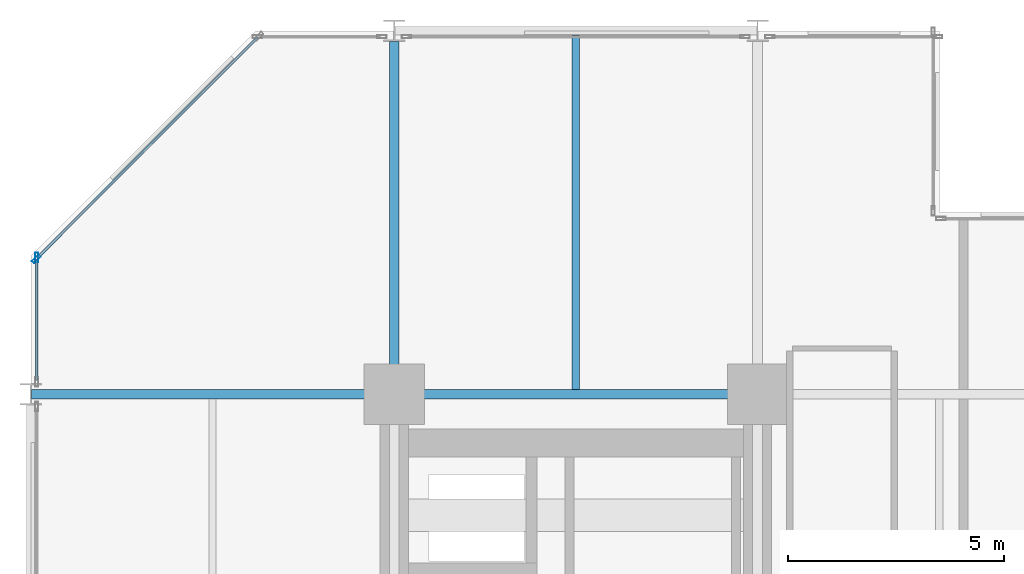
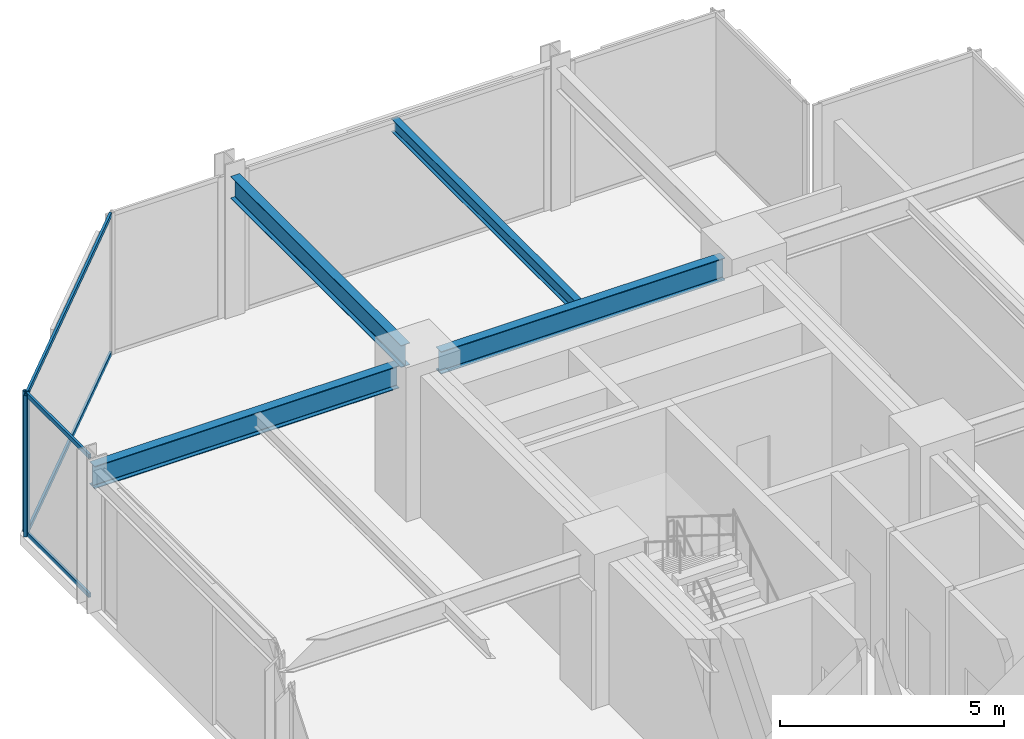
# One storey, part 17 of 26: 6 members, 4 beams, 2 elements without a shape of their own.
"""IFC4 building model written with IfcOpenShell, lengths in metres."""

from ifc_helpers import new_model, si_unit, direction, frame, origin, origin_2d, place, context, subcontext, project, spatial, hollow_rectangle, i_section, extrude, material, layer, layer_set, material_profile, profile_set, type_object, element, aggregate, save


model = new_model("IFC4")

# Units and contexts
model_context = context("Model", 3, precision=1e-05, world=origin(), true_north=direction((0.0, 1.0)))
body_context = subcontext(model_context, "Body", "Model", "MODEL_VIEW")
ifc_project = project(units=[si_unit("LENGTHUNIT", "METRE"), si_unit("AREAUNIT", "SQUARE_METRE"), si_unit("VOLUMEUNIT", "CUBIC_METRE"), si_unit("PLANEANGLEUNIT", "RADIAN"), si_unit("MASSUNIT", "GRAM", prefix="KILO")], contexts=[model_context])

# Site, building, storey
site_placement = place(None, origin())
site = spatial("IfcSite", under=ifc_project, at=site_placement, CompositionType="ELEMENT")
building_placement = place(site_placement, origin())
building = spatial("IfcBuilding", under=site, at=building_placement, Name="Nerrivon Quay Data Exchange", CompositionType="ELEMENT")
storey_placement = place(building_placement, frame((0.0, 0.0, 75.199951171875)))
storey = spatial("IfcBuildingStorey", under=building, at=storey_placement, Name="L17", CompositionType="ELEMENT", Elevation=75.199951171875)

# Beams
ifc_material_1 = material(Name="Steel Grade 350", Category="steel")
ifc_material_profile_1 = material_profile(ifc_material_1, i_section(OverallWidth=0.22900390625, OverallDepth=0.612060546875, WebThickness=0.011962890625, FlangeThickness=0.01953125, FilletRadius=0.013916015625, at=origin_2d()), Name="610UB125")
ifc_profile_set_1 = profile_set([ifc_material_profile_1], Name="Steel Grade 350")
beam_type_1 = type_object("IfcBeamType", Name="BM-G1-610UB125", PredefinedType="BEAM", material=ifc_profile_set_1)
beam_1_placement = place(storey_placement, frame((0.013916015625, 42.0, 3.5439453125), z_axis=(1.0, 0.0, 0.0), x_axis=(0.0, 1.0, 0.0)))
element("IfcBeam", 1, at=beam_1_placement, inside=storey, type_object=beam_type_1, Name="L17 EW Girder Y=42.0 (0.0..8.4)", PredefinedType="BEAM", context=body_context, shape_type="SweptSolid", body=[
    extrude(i_section(OverallWidth=0.22900390625, OverallDepth=0.612060546875, WebThickness=0.011962890625, FlangeThickness=0.01953125, FilletRadius=0.013916015625, at=origin_2d()), origin(), (0.0, 0.0, 1.0), 7.84619140625),
])
beam_2_placement = place(storey_placement, frame((8.93994140625, 42.0, 3.5439453125), z_axis=(1.0, 0.0, 0.0), x_axis=(0.0, 1.0, 0.0)))
element("IfcBeam", 2, at=beam_2_placement, inside=storey, type_object=beam_type_1, Name="L17 EW Girder Y=42.0 (8.4..16.8)", PredefinedType="BEAM", context=body_context, shape_type="SweptSolid", body=[
    extrude(i_section(OverallWidth=0.22900390625, OverallDepth=0.612060546875, WebThickness=0.011962890625, FlangeThickness=0.01953125, FilletRadius=0.013916015625, at=origin_2d()), origin(), (0.0, 0.0, 1.0), 7.320068359375),
])
ifc_material_profile_2 = material_profile(ifc_material_1, i_section(OverallWidth=0.22802734375, OverallDepth=0.60205078125, WebThickness=0.010498046875, FlangeThickness=0.014892578125, FilletRadius=0.013916015625, at=origin_2d()), Name="610UB101")
ifc_profile_set_2 = profile_set([ifc_material_profile_2], Name="Steel Grade 350")
beam_type_2 = type_object("IfcBeamType", Name="BM-G2-610UB101", PredefinedType="BEAM", material=ifc_profile_set_2)
beam_3_placement = place(storey_placement, frame((8.39990234375, 42.5400390625, 3.549072265625), z_axis=(0.0, 1.0, 0.0), x_axis=(-1.0, 0.0, 0.0)))
element("IfcBeam", 3, at=beam_3_placement, inside=storey, type_object=beam_type_2, Name="L17 NS Girder X=8.4 (42.0..50.4)", PredefinedType="BEAM", context=body_context, shape_type="SweptSolid", body=[
    extrude(i_section(OverallWidth=0.22802734375, OverallDepth=0.60205078125, WebThickness=0.010498046875, FlangeThickness=0.014892578125, FilletRadius=0.013916015625, at=origin_2d()), origin(), (0.0, 0.0, 1.0), 7.60986328125),
])
ifc_material_profile_3 = material_profile(ifc_material_1, i_section(OverallWidth=0.172119140625, OverallDepth=0.35888671875, WebThickness=0.008056640625, FlangeThickness=0.012939453125, FilletRadius=0.011474609375, at=origin_2d()), Name="360UB56.7")
ifc_profile_set_3 = profile_set([ifc_material_profile_3], Name="Steel Grade 350")
beam_type_3 = type_object("IfcBeamType", Name="BM-J3-360UB57", PredefinedType="JOIST", material=ifc_profile_set_3)
beam_4_placement = place(storey_placement, frame((12.60009765625, 42.114501953125, 3.670654296875), z_axis=(0.0, 1.0, 0.0), x_axis=(-1.0, 0.0, 0.0)))
element("IfcBeam", 4, at=beam_4_placement, inside=storey, type_object=beam_type_3, Name="L17 Secondary Joist X=12.6 (42.0..50.4)", PredefinedType="JOIST", context=body_context, shape_type="SweptSolid", body=[
    extrude(i_section(OverallWidth=0.172119140625, OverallDepth=0.35888671875, WebThickness=0.008056640625, FlangeThickness=0.012939453125, FilletRadius=0.011474609375, at=origin_2d()), origin(), (0.0, 0.0, 1.0), 8.1904296875),
])

# Curtain wall, member
ifc_material_2 = material(Name="Anodised aluminium 6063-T6", Category="aluminium")
ifc_layer = layer(ifc_material_2, 0.219970703125)
ifc_layer_set = layer_set([ifc_layer], Name="Anodised aluminium 6063-T6")
curtain_wall_type = type_object("IfcCurtainWallType", Name="CW-SYS-01", PredefinedType="NOTDEFINED", material=ifc_layer_set)
curtain_wall_1_placement = place(storey_placement, origin())
curtain_wall_1 = element("IfcCurtainWall", 5, at=curtain_wall_1_placement, inside=storey, type_object=curtain_wall_type, Name="L17 Unitised Curtain Wall 22", PredefinedType="NOTDEFINED")
ifc_material_profile_4 = material_profile(ifc_material_2, hollow_rectangle(XDim=0.074951171875, YDim=0.219970703125, WallThickness=0.00390625, at=origin_2d()), Name="ALU-MULL-220x75")
ifc_profile_set_4 = profile_set([ifc_material_profile_4], Name="Anodised aluminium 6063-T6")
member_type_1 = type_object("IfcMemberType", Name="CWM-220x75", PredefinedType="MULLION", material=ifc_profile_set_4)
member_1_placement = place(storey_placement, frame((0.139892578125, 45.16259765625, 0.0), z_axis=(0.0, 0.0, 1.0), x_axis=(-1.0, 0.0, 0.0)))
member_1 = element("IfcMember", 6, at=member_1_placement, type_object=member_type_1, Name="CW01 mullion 2", PredefinedType="MULLION", context=body_context, shape_type="SweptSolid", body=[
    extrude(hollow_rectangle(XDim=0.074951171875, YDim=0.219970703125, WallThickness=0.00390625, at=origin_2d()), origin(), (0.0, 0.0, 1.0), 3.85009765625),
])

curtain_wall_2_placement = place(storey_placement, origin())
curtain_wall_2 = element("IfcCurtainWall", 7, at=curtain_wall_2_placement, inside=storey, type_object=curtain_wall_type, Name="L17 Unitised Curtain Wall 23", PredefinedType="NOTDEFINED")
member_2_placement = place(storey_placement, frame((0.12548828125, 45.12744140625, 0.0), z_axis=(0.0, 0.0, 1.0), x_axis=(-0.707106781187, 0.707106781187, 0.0)))
member_2 = element("IfcMember", 8, at=member_2_placement, type_object=member_type_1, Name="CW01 mullion 1", PredefinedType="MULLION", context=body_context, shape_type="SweptSolid", body=[
    extrude(hollow_rectangle(XDim=0.074951171875, YDim=0.219970703125, WallThickness=0.00390625, at=origin_2d()), origin(), (0.0, 0.0, 1.0), 3.85009765625),
])

# Member
ifc_material_profile_5 = material_profile(ifc_material_2, hollow_rectangle(XDim=0.06005859375, YDim=0.1201171875, WallThickness=0.003173828125, at=origin_2d()), Name="ALU-TRAN-120x60")
ifc_profile_set_5 = profile_set([ifc_material_profile_5], Name="Anodised aluminium 6063-T6")
member_type_2 = type_object("IfcMemberType", Name="CWT-120x60", PredefinedType="USERDEFINED", material=ifc_profile_set_5)
member_3_placement = place(storey_placement, frame((0.139892578125, 42.324951171875, 0.032470703125), z_axis=(0.0, 1.0, 0.0), x_axis=(-1.0, 0.0, 0.0)))
member_3 = element("IfcMember", 9, at=member_3_placement, type_object=member_type_2, Name="CW01 transom 1.1", ObjectType="TRANSOM", PredefinedType="USERDEFINED", context=body_context, shape_type="SweptSolid", body=[
    extrude(hollow_rectangle(XDim=0.06005859375, YDim=0.1201171875, WallThickness=0.003173828125, at=origin_2d()), origin(), (0.0, 0.0, 1.0), 2.800048828125),
])

member_4_placement = place(storey_placement, frame((0.139892578125, 42.324951171875, 3.817626953125), z_axis=(0.0, 1.0, 0.0), x_axis=(-1.0, 0.0, 0.0)))
member_4 = element("IfcMember", 10, at=member_4_placement, type_object=member_type_2, Name="CW01 transom 1.2", ObjectType="TRANSOM", PredefinedType="USERDEFINED", context=body_context, shape_type="SweptSolid", body=[
    extrude(hollow_rectangle(XDim=0.06005859375, YDim=0.1201171875, WallThickness=0.003173828125, at=origin_2d()), origin(), (0.0, 0.0, 1.0), 2.800048828125),
])

aggregate(curtain_wall_1, [member_1, member_3, member_4])

member_5_placement = place(storey_placement, frame((0.152099609375, 45.154052734375, 0.032470703125), z_axis=(0.707089835771, 0.707123726196, 0.0), x_axis=(-0.707123726196, 0.707089835771, 0.0)))
member_5 = element("IfcMember", 11, at=member_5_placement, type_object=member_type_2, Name="CW01 transom 1.1", ObjectType="TRANSOM", PredefinedType="USERDEFINED", context=body_context, shape_type="SweptSolid", body=[
    extrude(hollow_rectangle(XDim=0.06005859375, YDim=0.1201171875, WallThickness=0.003173828125, at=origin_2d()), origin(), (0.0, 0.0, 1.0), 7.203857421875),
])

member_6_placement = place(storey_placement, frame((0.152099609375, 45.154052734375, 3.817626953125), z_axis=(0.707089835771, 0.707123726196, 0.0), x_axis=(-0.707123726196, 0.707089835771, 0.0)))
member_6 = element("IfcMember", 12, at=member_6_placement, type_object=member_type_2, Name="CW01 transom 1.2", ObjectType="TRANSOM", PredefinedType="USERDEFINED", context=body_context, shape_type="SweptSolid", body=[
    extrude(hollow_rectangle(XDim=0.06005859375, YDim=0.1201171875, WallThickness=0.003173828125, at=origin_2d()), origin(), (0.0, 0.0, 1.0), 7.203857421875),
])

aggregate(curtain_wall_2, [member_2, member_5, member_6])

save(model, "model.ifc")
